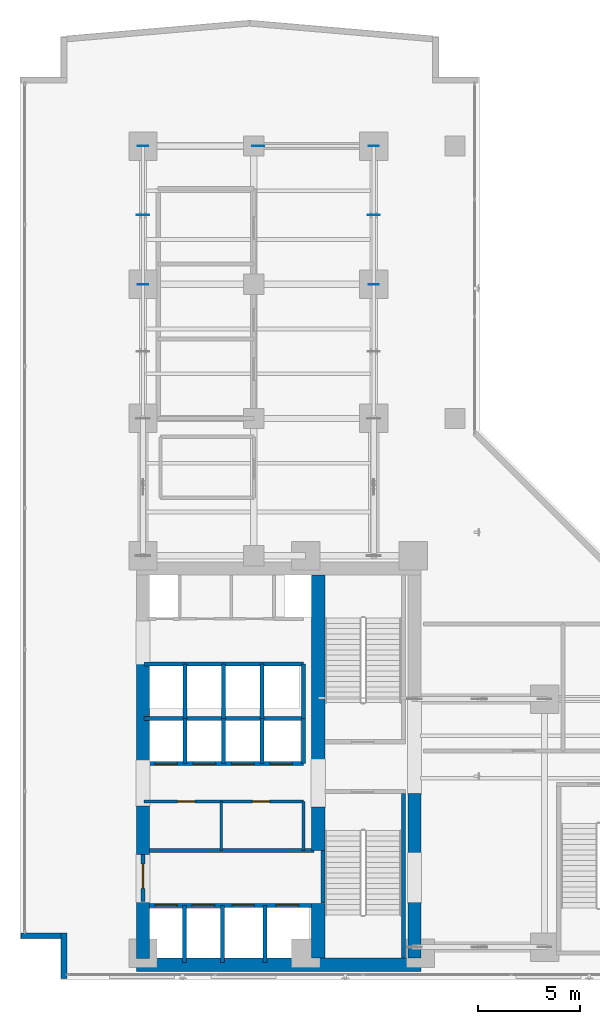
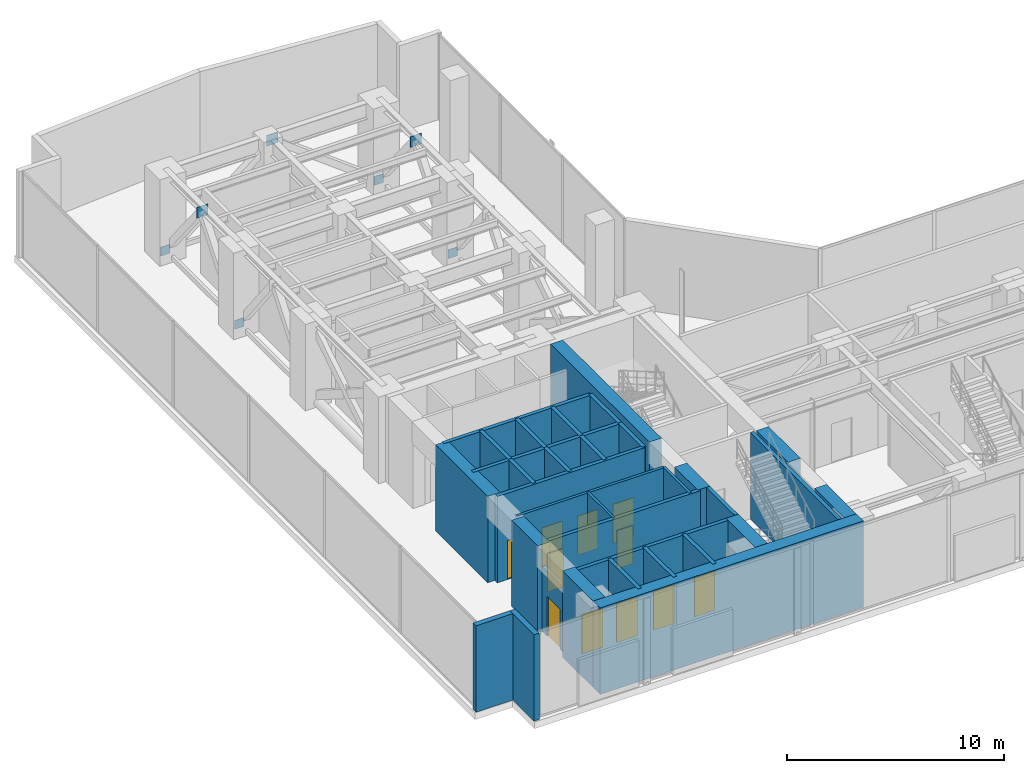
# One storey, part 31 of 37: 33 walls, 11 doors, 7 plates, 11 openings.
"""IFC4 building model written with IfcOpenShell, lengths in metres."""

from ifc_helpers import new_model, si_unit, direction, frame, frame_2d, origin, origin_with_axes, origin_2d, place, context, subcontext, project, spatial, rectangle, extrude, source, transform, mapped, material, layer, layer_set, type_object, element, fill, save


model = new_model("IFC4")

# Units and contexts
model_context = context("Model", 3, precision=1e-05, world=origin(), true_north=direction((0.0, 1.0)))
body_context = subcontext(model_context, "Body", "Model", "MODEL_VIEW")
ifc_project = project(units=[si_unit("LENGTHUNIT", "METRE"), si_unit("AREAUNIT", "SQUARE_METRE"), si_unit("VOLUMEUNIT", "CUBIC_METRE"), si_unit("PLANEANGLEUNIT", "RADIAN"), si_unit("MASSUNIT", "GRAM", prefix="KILO")], contexts=[model_context])

# Site, building, storey
site_placement = place(None, origin())
site = spatial("IfcSite", under=ifc_project, at=site_placement, CompositionType="ELEMENT")
building_placement = place(site_placement, origin())
building = spatial("IfcBuilding", under=site, at=building_placement, Name="Kolvaren Waterfront Exchange", CompositionType="ELEMENT")
storey_placement = place(building_placement, frame((0.0, 0.0, 141.10009765625)))
storey = spatial("IfcBuildingStorey", under=building, at=storey_placement, Name="L36", CompositionType="ELEMENT", Elevation=141.10009765625)

# Plates
ifc_material_1 = material(Name="Steel S460", Category="steel")
ifc_layer_1 = layer(ifc_material_1, 0.030029296875, Name="Steel S460")
ifc_layer_set_1 = layer_set([ifc_layer_1], Name="Steel S460")
plate_type_1 = type_object("IfcPlateType", Name="STR-PL-BN1", PredefinedType="SHEET", material=ifc_layer_set_1)
shared_shape_1 = source(origin_with_axes(), body_context, "Body", "SweptSolid", [
    extrude(rectangle(XDim=0.60009765625, YDim=0.030029296875, at=origin_2d()), origin(), (0.0, 0.0, 1.0), 0.60009765625),
])
for number, where, z_axis, x_axis, name in (
    (1, (7.449951171875, 41.199951171875, 4.2099609375), (0.0, 0.0, 1.0), (1.0, 0.0, 0.0), "L36 belt-truss chevron apex gusset BT5"),
    (2, (18.800048828125, 41.199951171875, 4.2099609375), (0.0, 0.0, 1.0), (1.0, 0.0, 0.0), "L36 belt-truss chevron apex gusset BT7"),
    (3, (13.125, 44.60009765625, 4.2099609375), (0.0, 0.0, 1.0), (1.0, 0.0, 0.0), "L36 belt-truss chevron apex gusset BT8"),
):
    element("IfcPlate", number, at=place(storey_placement, frame(where, z_axis=z_axis, x_axis=x_axis)), inside=storey, type_object=plate_type_1, Name=name, PredefinedType="SHEET", context=body_context, shape_type="MappedRepresentation", body=[
        mapped(shared_shape_1, transform((0.0, 0.0, 0.0), x_axis=(1.0, 0.0, 0.0), y_axis=(0.0, 1.0, 0.0), z_axis=(0.0, 0.0, 1.0), scale=1.0)),
    ])
ifc_material_2 = material(Name="Steel S355", Category="steel")
ifc_layer_2 = layer(ifc_material_2, 0.02490234375, Name="Steel S355")
ifc_layer_set_2 = layer_set([ifc_layer_2], Name="Steel S355")
plate_type_2 = type_object("IfcPlateType", Name="STR-PL-BN2", PredefinedType="SHEET", material=ifc_layer_set_2)
shared_shape_2 = source(origin_with_axes(), body_context, "Body", "SweptSolid", [
    extrude(rectangle(XDim=0.5, YDim=0.02490234375, at=origin_2d()), origin(), (0.0, 0.0, 1.0), 0.5),
])
for number, where, z_axis, x_axis, name in (
    (4, (7.449951171875, 37.800048828125, 0.0), (0.0, 0.0, 1.0), (1.0, 0.0, 0.0), "L36 belt-truss end cap plate BT4.2"),
    (5, (7.449951171875, 44.60009765625, 0.0), (0.0, 0.0, 1.0), (1.0, 0.0, 0.0), "L36 belt-truss end cap plate BT5.2"),
    (6, (18.800048828125, 37.800048828125, 0.0), (0.0, 0.0, 1.0), (1.0, 0.0, 0.0), "L36 belt-truss end cap plate BT6.2"),
    (7, (18.800048828125, 44.60009765625, 0.0), (0.0, 0.0, 1.0), (1.0, 0.0, 0.0), "L36 belt-truss end cap plate BT7.2"),
):
    element("IfcPlate", number, at=place(storey_placement, frame(where, z_axis=z_axis, x_axis=x_axis)), inside=storey, type_object=plate_type_2, Name=name, PredefinedType="SHEET", context=body_context, shape_type="MappedRepresentation", body=[
        mapped(shared_shape_2, transform((0.0, 0.0, 0.0), x_axis=(1.0, 0.0, 0.0), y_axis=(0.0, 1.0, 0.0), z_axis=(0.0, 0.0, 1.0), scale=1.0)),
    ])

# Walls
ifc_material_3 = material(Name="Precast concrete C40/50", Category="concrete")
ifc_layer_3 = layer(ifc_material_3, 0.280029296875, Name="Precast concrete C40/50")
ifc_layer_set_3 = layer_set([ifc_layer_3], Name="Precast concrete C40/50")
wall_type_1 = type_object("IfcWallType", Name="ARC-EXT-TERR-280", PredefinedType="SOLIDWALL", material=ifc_layer_set_3)
wall_1_placement = place(storey_placement, frame((3.56005859375, 3.659912109375, 0.0), z_axis=(0.0, 0.0, 1.0), x_axis=(0.0, 1.0, 0.0)))
element("IfcWall", 8, at=wall_1_placement, inside=storey, type_object=wall_type_1, Name="L36 notched corner spandrel pier SW-A", PredefinedType="SOLIDWALL", context=body_context, shape_type="SweptSolid", body=[
    extrude(rectangle(XDim=2.239990234375, YDim=0.280029296875, at=frame_2d((1.1201171875, 0.0))), origin(), (0.0, 0.0, 1.0), 4.85986328125),
])
wall_2_placement = place(storey_placement, frame((1.4599609375, 5.760009765625, 0.0), z_axis=(0.0, 0.0, 1.0), x_axis=(1.0, 0.0, 0.0)))
element("IfcWall", 9, at=wall_2_placement, inside=storey, type_object=wall_type_1, Name="L36 notched corner spandrel pier SW-B", PredefinedType="SOLIDWALL", context=body_context, shape_type="SweptSolid", body=[
    extrude(rectangle(XDim=1.9599609375, YDim=0.280029296875, at=frame_2d((0.97998046875, 0.0))), origin(), (0.0, 0.0, 1.0), 4.85986328125),
])
ifc_layer_4 = layer(ifc_material_3, 0.199951171875, Name="Precast concrete C40/50")
ifc_layer_set_4 = layer_set([ifc_layer_4], Name="Precast concrete C40/50")
wall_type_2 = type_object("IfcWallType", Name="ARC-FIRE-200", PredefinedType="PARTITIONING", material=ifc_layer_set_4)
wall_3_placement = place(storey_placement, frame((7.5, 9.949951171875, 0.0), z_axis=(0.0, 0.0, 1.0), x_axis=(1.0, 0.0, 0.0)))
element("IfcWall", 10, at=wall_3_placement, inside=storey, type_object=wall_type_2, Name="L36 interior wall PW-L36-FF-N", PredefinedType="PARTITIONING", context=body_context, shape_type="SweptSolid", body=[
    extrude(rectangle(XDim=8.35009765625, YDim=0.199951171875, at=frame_2d((4.175048828125, 0.0))), origin(), (0.0, 0.0, 1.0), 4.85986328125),
])

# Wall, opening, door
wall_4_placement = place(storey_placement, frame((7.449951171875, 7.449951171875, 0.0), z_axis=(0.0, 0.0, 1.0), x_axis=(0.0, 1.0, 0.0)))
wall_4 = element("IfcWall", 11, at=wall_4_placement, inside=storey, type_object=wall_type_2, Name="L36 interior wall PW-L36-FF-W-DOOR", PredefinedType="PARTITIONING", context=body_context, shape_type="SweptSolid", body=[
    extrude(rectangle(XDim=2.300048828125, YDim=0.199951171875, at=frame_2d((1.14990234375, 0.0))), origin(), (0.0, 0.0, 1.0), 3.639892578125),
])
opening_1_placement = place(wall_4_placement, frame((0.63330078125, 0.0, 0.0)))
opening_1 = element("IfcOpeningElement", 12, at=opening_1_placement, cuts=wall_4, Name="Opening FD3", PredefinedType="OPENING", context=body_context, shape_type="SweptSolid", body=[
    extrude(rectangle(XDim=1.199951171875, YDim=2.25, at=frame_2d((0.60009765625, 1.125))), frame((0.0, 0.10986328125, 0.0), z_axis=(0.0, -1.0, 0.0), x_axis=(1.0, 0.0, 0.0)), (0.0, 0.0, 1.0), 0.219970703125),
])
ifc_material_4 = material(Name="Pressed steel fire door", Category="steel")
door_type_1 = type_object("IfcDoorType", Name="ARC-FD-1200", OperationType="NOTDEFINED", PredefinedType="DOOR", material=ifc_material_4)
door_1_placement = place(opening_1_placement, frame((1.199951171875, 0.0, 0.0), z_axis=(0.0, 0.0, 1.0), x_axis=(-1.0, 0.0, 0.0)))
door_1 = element("IfcDoor", 13, at=door_1_placement, inside=storey, type_object=door_type_1, Name="L36 door DR-L36-FF-OUT (FD3)", OperationType="SINGLE_SWING_RIGHT", OverallHeight=2.25, OverallWidth=1.199951171875, PredefinedType="DOOR", context=body_context, shape_type="SweptSolid", body=[
    extrude(rectangle(XDim=1.199951171875, YDim=2.25, at=frame_2d((0.60009765625, 1.125))), frame((0.0, 0.02490234375, 0.0), z_axis=(0.0, -1.0, 0.0), x_axis=(1.0, 0.0, 0.0)), (0.0, 0.0, 1.0), 0.050048828125),
])
fill(opening_1, door_1)

# Wall
ifc_material_5 = material(Name="Acoustic gypsum steel stud", Category="steel")
ifc_layer_5 = layer(ifc_material_5, 0.125, Name="Acoustic gypsum steel stud")
ifc_layer_set_5 = layer_set([ifc_layer_5], Name="Acoustic gypsum steel stud")
wall_type_3 = type_object("IfcWallType", Name="ARC-PART-125", PredefinedType="PARTITIONING", material=ifc_layer_set_5)
wall_5_placement = place(storey_placement, frame((11.300048828125, 9.949951171875, 0.0), z_axis=(0.0, 0.0, 1.0), x_axis=(0.0, 1.0, 0.0)))
element("IfcWall", 14, at=wall_5_placement, inside=storey, type_object=wall_type_3, Name="L36 interior wall PW-L36-REC-PL-MID", PredefinedType="PARTITIONING", context=body_context, shape_type="SweptSolid", body=[
    extrude(rectangle(XDim=2.41015625, YDim=0.125, at=frame_2d((1.205078125, 0.0))), origin(), (0.0, 0.0, 1.0), 4.85986328125),
])

# Wall, openings, doors
ifc_material_6 = material(Name="Gypsum fireboard steel stud", Category="steel")
ifc_layer_6 = layer(ifc_material_6, 0.14990234375, Name="Gypsum fireboard steel stud")
ifc_layer_set_6 = layer_set([ifc_layer_6], Name="Gypsum fireboard steel stud")
wall_type_4 = type_object("IfcWallType", Name="ARC-PART-150", PredefinedType="PARTITIONING", material=ifc_layer_set_6)
wall_6_placement = place(storey_placement, frame((7.5, 12.360107421875, 0.0), z_axis=(0.0, 0.0, 1.0), x_axis=(1.0, 0.0, 0.0)))
wall_6 = element("IfcWall", 15, at=wall_6_placement, inside=storey, type_object=wall_type_4, Name="L36 interior wall PW-L36-REC-PL-N", PredefinedType="PARTITIONING", context=body_context, shape_type="SweptSolid", body=[
    extrude(rectangle(XDim=7.85009765625, YDim=0.14990234375, at=frame_2d((3.925048828125, 0.0))), origin(), (0.0, 0.0, 1.0), 4.85986328125),
])
opening_2_placement = place(wall_6_placement, frame((1.64990234375, 0.0, 0.0)))
opening_2 = element("IfcOpeningElement", 16, at=opening_2_placement, cuts=wall_6, Name="Opening D01", PredefinedType="OPENING", context=body_context, shape_type="SweptSolid", body=[
    extrude(rectangle(XDim=0.85009765625, YDim=2.14990234375, at=frame_2d((0.425048828125, 1.074951171875))), frame((0.0, 0.0849609375, 0.0), z_axis=(0.0, -1.0, 0.0), x_axis=(1.0, 0.0, 0.0)), (0.0, 0.0, 1.0), 0.169921875),
])
opening_3_placement = place(wall_6_placement, frame((5.329345703125, 0.0, 0.0)))
opening_3 = element("IfcOpeningElement", 17, at=opening_3_placement, cuts=wall_6, Name="Opening D01", PredefinedType="OPENING", context=body_context, shape_type="SweptSolid", body=[
    extrude(rectangle(XDim=0.85009765625, YDim=2.14990234375, at=frame_2d((0.425048828125, 1.074951171875))), frame((0.0, 0.0849609375, 0.0), z_axis=(0.0, -1.0, 0.0), x_axis=(1.0, 0.0, 0.0)), (0.0, 0.0, 1.0), 0.169921875),
])
ifc_material_7 = material(Name="Oak veneer timber leaf", Category="wood")
door_type_2 = type_object("IfcDoorType", Name="ARC-DR-900", OperationType="NOTDEFINED", PredefinedType="DOOR", material=ifc_material_7)
door_2_placement = place(opening_2_placement, origin())
door_2 = element("IfcDoor", 18, at=door_2_placement, inside=storey, type_object=door_type_2, Name="L36 door DR-L36-REC-PL-D1 (D01)", OperationType="SINGLE_SWING_LEFT", OverallHeight=2.14990234375, OverallWidth=0.85009765625, PredefinedType="DOOR", context=body_context, shape_type="SweptSolid", body=[
    extrude(rectangle(XDim=0.85009765625, YDim=2.14990234375, at=frame_2d((0.425048828125, 1.074951171875))), frame((0.0, 0.02490234375, 0.0), z_axis=(0.0, -1.0, 0.0), x_axis=(1.0, 0.0, 0.0)), (0.0, 0.0, 1.0), 0.050048828125),
])
fill(opening_2, door_2)
door_3_placement = place(opening_3_placement, origin())
door_3 = element("IfcDoor", 19, at=door_3_placement, inside=storey, type_object=door_type_2, Name="L36 door DR-L36-REC-PL-D2 (D01)", OperationType="SINGLE_SWING_RIGHT", OverallHeight=2.14990234375, OverallWidth=0.85009765625, PredefinedType="DOOR", context=body_context, shape_type="SweptSolid", body=[
    extrude(rectangle(XDim=0.85009765625, YDim=2.14990234375, at=frame_2d((0.425048828125, 1.074951171875))), frame((0.0, 0.02490234375, 0.0), z_axis=(0.0, -1.0, 0.0), x_axis=(1.0, 0.0, 0.0)), (0.0, 0.0, 1.0), 0.050048828125),
])
fill(opening_3, door_3)

# Walls
wall_7_placement = place(storey_placement, frame((15.35009765625, 9.949951171875, 0.0), z_axis=(0.0, 0.0, 1.0), x_axis=(0.0, 1.0, 0.0)))
element("IfcWall", 20, at=wall_7_placement, inside=storey, type_object=wall_type_4, Name="L36 interior wall PW-L36-REC-PL-E", PredefinedType="PARTITIONING", context=body_context, shape_type="SweptSolid", body=[
    extrude(rectangle(XDim=2.41015625, YDim=0.14990234375, at=frame_2d((1.205078125, 0.0))), origin(), (0.0, 0.0, 1.0), 4.85986328125),
])
ifc_material_8 = material(Name="Concrete C40/50", Category="concrete")
ifc_layer_7 = layer(ifc_material_8, 0.199951171875, Name="Concrete C40/50")
ifc_layer_set_7 = layer_set([ifc_layer_7], Name="Concrete C40/50")
wall_type_5 = type_object("IfcWallType", Name="ARC-SHAFT-200", PredefinedType="PARTITIONING", material=ifc_layer_set_7)
wall_8_placement = place(storey_placement, frame((16.300048828125, 7.360107421875, 0.0), z_axis=(0.0, 0.0, 1.0), x_axis=(0.0, 1.0, 0.0)))
element("IfcWall", 21, at=wall_8_placement, inside=storey, type_object=wall_type_5, Name="L36 structural stairwell wall PW-L36-ST1-W", PredefinedType="SHEAR", context=body_context, shape_type="SweptSolid", body=[
    extrude(rectangle(XDim=2.579833984375, YDim=0.199951171875, at=frame_2d((1.2900390625, 0.0))), origin(), (0.0, 0.0, 1.0), 4.85986328125),
])
wall_9_placement = place(storey_placement, frame((20.260009765625, 4.659912109375, 0.0), z_axis=(0.0, 0.0, 1.0), x_axis=(0.0, 1.0, 0.0)))
element("IfcWall", 22, at=wall_9_placement, inside=storey, type_object=wall_type_5, Name="L36 structural stairwell wall PW-L36-ST1-E", PredefinedType="SHEAR", context=body_context, shape_type="SweptSolid", body=[
    extrude(rectangle(XDim=8.090087890625, YDim=0.199951171875, at=frame_2d((4.044921875, 0.0))), origin(), (0.0, 0.0, 1.0), 4.85986328125),
])

# Wall, openings, doors
wall_10_placement = place(storey_placement, frame((7.5, 7.25, 0.0), z_axis=(0.0, 0.0, 1.0), x_axis=(1.0, 0.0, 0.0)))
wall_10 = element("IfcWall", 23, at=wall_10_placement, inside=storey, type_object=wall_type_5, Name="L36 interior wall PW-L36-FF-S", PredefinedType="PARTITIONING", context=body_context, shape_type="SweptSolid", body=[
    extrude(rectangle(XDim=8.35009765625, YDim=0.199951171875, at=frame_2d((4.175048828125, 0.0))), origin(), (0.0, 0.0, 1.0), 4.85986328125),
])
opening_4_placement = place(wall_10_placement, frame((0.530029296875, 0.0, 0.0)))
opening_4 = element("IfcOpeningElement", 24, at=opening_4_placement, cuts=wall_10, Name="Opening LD1", PredefinedType="OPENING", context=body_context, shape_type="SweptSolid", body=[
    extrude(rectangle(XDim=1.10009765625, YDim=2.199951171875, at=frame_2d((0.550048828125, 1.10009765625))), frame((0.0, 0.10986328125, 0.0), z_axis=(0.0, -1.0, 0.0), x_axis=(1.0, 0.0, 0.0)), (0.0, 0.0, 1.0), 0.219970703125),
])
opening_5_placement = place(wall_10_placement, frame((2.3701171875, 0.0, 0.0)))
opening_5 = element("IfcOpeningElement", 25, at=opening_5_placement, cuts=wall_10, Name="Opening LD1", PredefinedType="OPENING", context=body_context, shape_type="SweptSolid", body=[
    extrude(rectangle(XDim=1.10009765625, YDim=2.199951171875, at=frame_2d((0.550048828125, 1.10009765625))), frame((0.0, 0.10986328125, 0.0), z_axis=(0.0, -1.0, 0.0), x_axis=(1.0, 0.0, 0.0)), (0.0, 0.0, 1.0), 0.219970703125),
])
opening_6_placement = place(wall_10_placement, frame((4.330078125, 0.0, 0.0)))
opening_6 = element("IfcOpeningElement", 26, at=opening_6_placement, cuts=wall_10, Name="Opening LD1", PredefinedType="OPENING", context=body_context, shape_type="SweptSolid", body=[
    extrude(rectangle(XDim=1.10009765625, YDim=2.199951171875, at=frame_2d((0.550048828125, 1.10009765625))), frame((0.0, 0.10986328125, 0.0), z_axis=(0.0, -1.0, 0.0), x_axis=(1.0, 0.0, 0.0)), (0.0, 0.0, 1.0), 0.219970703125),
])
opening_7_placement = place(wall_10_placement, frame((6.5, 0.0, 0.0)))
opening_7 = element("IfcOpeningElement", 27, at=opening_7_placement, cuts=wall_10, Name="Opening LD1", PredefinedType="OPENING", context=body_context, shape_type="SweptSolid", body=[
    extrude(rectangle(XDim=1.10009765625, YDim=2.199951171875, at=frame_2d((0.550048828125, 1.10009765625))), frame((0.0, 0.10986328125, 0.0), z_axis=(0.0, -1.0, 0.0), x_axis=(1.0, 0.0, 0.0)), (0.0, 0.0, 1.0), 0.219970703125),
])
ifc_material_9 = material(Name="Stainless steel sliding landing door", Category="steel")
door_type_3 = type_object("IfcDoorType", Name="ARC-LD-FF", OperationType="SLIDING_TO_LEFT", PredefinedType="DOOR", material=ifc_material_9)
door_4_placement = place(opening_4_placement, origin())
door_4 = element("IfcDoor", 28, at=door_4_placement, inside=storey, type_object=door_type_3, Name="L36 door LD-L36-FFL1 (LD1)", OperationType="SLIDING_TO_LEFT", OverallHeight=2.199951171875, OverallWidth=1.10009765625, PredefinedType="DOOR", context=body_context, shape_type="SweptSolid", body=[
    extrude(rectangle(XDim=1.10009765625, YDim=2.199951171875, at=frame_2d((0.550048828125, 1.10009765625))), frame((0.0, 0.02490234375, 0.0), z_axis=(0.0, -1.0, 0.0), x_axis=(1.0, 0.0, 0.0)), (0.0, 0.0, 1.0), 0.050048828125),
])
fill(opening_4, door_4)
door_5_placement = place(opening_5_placement, origin())
door_5 = element("IfcDoor", 29, at=door_5_placement, inside=storey, type_object=door_type_3, Name="L36 door LD-L36-FFL2 (LD1)", OperationType="SLIDING_TO_LEFT", OverallHeight=2.199951171875, OverallWidth=1.10009765625, PredefinedType="DOOR", context=body_context, shape_type="SweptSolid", body=[
    extrude(rectangle(XDim=1.10009765625, YDim=2.199951171875, at=frame_2d((0.550048828125, 1.10009765625))), frame((0.0, 0.02490234375, 0.0), z_axis=(0.0, -1.0, 0.0), x_axis=(1.0, 0.0, 0.0)), (0.0, 0.0, 1.0), 0.050048828125),
])
fill(opening_5, door_5)
door_6_placement = place(opening_6_placement, origin())
door_6 = element("IfcDoor", 30, at=door_6_placement, inside=storey, type_object=door_type_3, Name="L36 door LD-L36-GL1 (LD1)", OperationType="SLIDING_TO_LEFT", OverallHeight=2.199951171875, OverallWidth=1.10009765625, PredefinedType="DOOR", context=body_context, shape_type="SweptSolid", body=[
    extrude(rectangle(XDim=1.10009765625, YDim=2.199951171875, at=frame_2d((0.550048828125, 1.10009765625))), frame((0.0, 0.02490234375, 0.0), z_axis=(0.0, -1.0, 0.0), x_axis=(1.0, 0.0, 0.0)), (0.0, 0.0, 1.0), 0.050048828125),
])
fill(opening_6, door_6)
door_7_placement = place(opening_7_placement, origin())
door_7 = element("IfcDoor", 31, at=door_7_placement, inside=storey, type_object=door_type_3, Name="L36 door LD-L36-GL2 (LD1)", OperationType="SLIDING_TO_LEFT", OverallHeight=2.199951171875, OverallWidth=1.10009765625, PredefinedType="DOOR", context=body_context, shape_type="SweptSolid", body=[
    extrude(rectangle(XDim=1.10009765625, YDim=2.199951171875, at=frame_2d((0.550048828125, 1.10009765625))), frame((0.0, 0.02490234375, 0.0), z_axis=(0.0, -1.0, 0.0), x_axis=(1.0, 0.0, 0.0)), (0.0, 0.0, 1.0), 0.050048828125),
])
fill(opening_7, door_7)

# Walls
for number, where, z_axis, x_axis, name in (
    (32, (9.5, 4.449951171875, 0.0), (0.0, 0.0, 1.0), (0.0, 1.0, 0.0), "L36 interior wall PW-L36-SH1-DIV-95"),
    (33, (11.360107421875, 4.449951171875, 0.0), (0.0, 0.0, 1.0), (0.0, 1.0, 0.0), "L36 interior wall PW-L36-SH1-DIV-113"),
    (34, (13.4599609375, 4.449951171875, 0.0), (0.0, 0.0, 1.0), (0.0, 1.0, 0.0), "L36 interior wall PW-L36-SH1-DIV-134"),
):
    element("IfcWall", number, at=place(storey_placement, frame(where, z_axis=z_axis, x_axis=x_axis)), inside=storey, type_object=wall_type_5, Name=name, PredefinedType="PARTITIONING", context=body_context, shape_type="SweptSolid", body=[
        extrude(rectangle(XDim=2.800048828125, YDim=0.199951171875, at=frame_2d((1.39990234375, 0.0))), origin(), (0.0, 0.0, 1.0), 4.85986328125),
    ])

# Wall, openings, doors
wall_11_placement = place(storey_placement, frame((7.5, 14.219970703125, 0.0), z_axis=(0.0, 0.0, 1.0), x_axis=(1.0, 0.0, 0.0)))
wall_11 = element("IfcWall", 35, at=wall_11_placement, inside=storey, type_object=wall_type_5, Name="L36 interior wall PW-L36-PM-S", PredefinedType="PARTITIONING", context=body_context, shape_type="SweptSolid", body=[
    extrude(rectangle(XDim=7.85009765625, YDim=0.199951171875, at=frame_2d((3.925048828125, 0.0))), origin(), (0.0, 0.0, 1.0), 4.85986328125),
])
opening_8_placement = place(wall_11_placement, frame((0.530029296875, 0.0, 0.0)))
opening_8 = element("IfcOpeningElement", 36, at=opening_8_placement, cuts=wall_11, Name="Opening LD2", PredefinedType="OPENING", context=body_context, shape_type="SweptSolid", body=[
    extrude(rectangle(XDim=1.10009765625, YDim=2.199951171875, at=frame_2d((0.550048828125, 1.10009765625))), frame((0.0, 0.10986328125, 0.0), z_axis=(0.0, -1.0, 0.0), x_axis=(1.0, 0.0, 0.0)), (0.0, 0.0, 1.0), 0.219970703125),
])
opening_9_placement = place(wall_11_placement, frame((2.419921875, 0.0, 0.0)))
opening_9 = element("IfcOpeningElement", 37, at=opening_9_placement, cuts=wall_11, Name="Opening LD2", PredefinedType="OPENING", context=body_context, shape_type="SweptSolid", body=[
    extrude(rectangle(XDim=1.10009765625, YDim=2.199951171875, at=frame_2d((0.550048828125, 1.10009765625))), frame((0.0, 0.10986328125, 0.0), z_axis=(0.0, -1.0, 0.0), x_axis=(1.0, 0.0, 0.0)), (0.0, 0.0, 1.0), 0.219970703125),
])
opening_10_placement = place(wall_11_placement, frame((4.31005859375, 0.0, 0.0)))
opening_10 = element("IfcOpeningElement", 38, at=opening_10_placement, cuts=wall_11, Name="Opening LD2", PredefinedType="OPENING", context=body_context, shape_type="SweptSolid", body=[
    extrude(rectangle(XDim=1.10009765625, YDim=2.199951171875, at=frame_2d((0.550048828125, 1.10009765625))), frame((0.0, 0.10986328125, 0.0), z_axis=(0.0, -1.0, 0.0), x_axis=(1.0, 0.0, 0.0)), (0.0, 0.0, 1.0), 0.219970703125),
])
opening_11_placement = place(wall_11_placement, frame((6.199951171875, 0.0, 0.0)))
opening_11 = element("IfcOpeningElement", 39, at=opening_11_placement, cuts=wall_11, Name="Opening LD2", PredefinedType="OPENING", context=body_context, shape_type="SweptSolid", body=[
    extrude(rectangle(XDim=1.10009765625, YDim=2.199951171875, at=frame_2d((0.550048828125, 1.10009765625))), frame((0.0, 0.10986328125, 0.0), z_axis=(0.0, -1.0, 0.0), x_axis=(1.0, 0.0, 0.0)), (0.0, 0.0, 1.0), 0.219970703125),
])
ifc_material_10 = material(Name="Brushed bronze sliding landing door", Category="aluminium")
door_type_4 = type_object("IfcDoorType", Name="ARC-LD-PAX", OperationType="SLIDING_TO_LEFT", PredefinedType="DOOR", material=ifc_material_10)
door_8_placement = place(opening_8_placement, frame((1.10009765625, 0.0, 0.0), z_axis=(0.0, 0.0, 1.0), x_axis=(-1.0, 0.0, 0.0)))
door_8 = element("IfcDoor", 40, at=door_8_placement, inside=storey, type_object=door_type_4, Name="L36 door LD-L36-PM1 (LD2)", OperationType="SLIDING_TO_LEFT", OverallHeight=2.199951171875, OverallWidth=1.10009765625, PredefinedType="DOOR", context=body_context, shape_type="SweptSolid", body=[
    extrude(rectangle(XDim=1.10009765625, YDim=2.199951171875, at=frame_2d((0.550048828125, 1.10009765625))), frame((0.0, 0.02490234375, 0.0), z_axis=(0.0, -1.0, 0.0), x_axis=(1.0, 0.0, 0.0)), (0.0, 0.0, 1.0), 0.050048828125),
])
fill(opening_8, door_8)
door_9_placement = place(opening_9_placement, frame((1.10009765625, 0.0, 0.0), z_axis=(0.0, 0.0, 1.0), x_axis=(-1.0, 0.0, 0.0)))
door_9 = element("IfcDoor", 41, at=door_9_placement, inside=storey, type_object=door_type_4, Name="L36 door LD-L36-PM2 (LD2)", OperationType="SLIDING_TO_LEFT", OverallHeight=2.199951171875, OverallWidth=1.10009765625, PredefinedType="DOOR", context=body_context, shape_type="SweptSolid", body=[
    extrude(rectangle(XDim=1.10009765625, YDim=2.199951171875, at=frame_2d((0.550048828125, 1.10009765625))), frame((0.0, 0.02490234375, 0.0), z_axis=(0.0, -1.0, 0.0), x_axis=(1.0, 0.0, 0.0)), (0.0, 0.0, 1.0), 0.050048828125),
])
fill(opening_9, door_9)
door_10_placement = place(opening_10_placement, frame((1.10009765625, 0.0, 0.0), z_axis=(0.0, 0.0, 1.0), x_axis=(-1.0, 0.0, 0.0)))
door_10 = element("IfcDoor", 42, at=door_10_placement, inside=storey, type_object=door_type_4, Name="L36 door LD-L36-PM3 (LD2)", OperationType="SLIDING_TO_LEFT", OverallHeight=2.199951171875, OverallWidth=1.10009765625, PredefinedType="DOOR", context=body_context, shape_type="SweptSolid", body=[
    extrude(rectangle(XDim=1.10009765625, YDim=2.199951171875, at=frame_2d((0.550048828125, 1.10009765625))), frame((0.0, 0.02490234375, 0.0), z_axis=(0.0, -1.0, 0.0), x_axis=(1.0, 0.0, 0.0)), (0.0, 0.0, 1.0), 0.050048828125),
])
fill(opening_10, door_10)
door_11_placement = place(opening_11_placement, frame((1.10009765625, 0.0, 0.0), z_axis=(0.0, 0.0, 1.0), x_axis=(-1.0, 0.0, 0.0)))
door_11 = element("IfcDoor", 43, at=door_11_placement, inside=storey, type_object=door_type_4, Name="L36 door LD-L36-PM4 (LD2)", OperationType="SLIDING_TO_LEFT", OverallHeight=2.199951171875, OverallWidth=1.10009765625, PredefinedType="DOOR", context=body_context, shape_type="SweptSolid", body=[
    extrude(rectangle(XDim=1.10009765625, YDim=2.199951171875, at=frame_2d((0.550048828125, 1.10009765625))), frame((0.0, 0.02490234375, 0.0), z_axis=(0.0, -1.0, 0.0), x_axis=(1.0, 0.0, 0.0)), (0.0, 0.0, 1.0), 0.050048828125),
])
fill(opening_11, door_11)

# Walls
wall_12_placement = place(storey_placement, frame((7.5, 16.449951171875, 0.0), z_axis=(0.0, 0.0, 1.0), x_axis=(1.0, 0.0, 0.0)))
element("IfcWall", 44, at=wall_12_placement, inside=storey, type_object=wall_type_5, Name="L36 interior wall PW-L36-PM-N", PredefinedType="PARTITIONING", context=body_context, shape_type="SweptSolid", body=[
    extrude(rectangle(XDim=7.85009765625, YDim=0.199951171875, at=frame_2d((3.925048828125, 0.0))), origin(), (0.0, 0.0, 1.0), 4.85986328125),
])
for number, where, z_axis, x_axis, name in (
    (45, (15.35009765625, 14.219970703125, 0.0), (0.0, 0.0, 1.0), (0.0, 1.0, 0.0), "L36 interior wall PW-L36-PM-E"),
    (46, (9.52001953125, 14.219970703125, 0.0), (0.0, 0.0, 1.0), (0.0, 1.0, 0.0), "L36 interior wall PW-L36-SH3-DIV-95"),
    (47, (11.409912109375, 14.219970703125, 0.0), (0.0, 0.0, 1.0), (0.0, 1.0, 0.0), "L36 interior wall PW-L36-SH3-DIV-114"),
    (48, (13.300048828125, 14.219970703125, 0.0), (0.0, 0.0, 1.0), (0.0, 1.0, 0.0), "L36 interior wall PW-L36-SH3-DIV-133"),
):
    element("IfcWall", number, at=place(storey_placement, frame(where, z_axis=z_axis, x_axis=x_axis)), inside=storey, type_object=wall_type_5, Name=name, PredefinedType="PARTITIONING", context=body_context, shape_type="SweptSolid", body=[
        extrude(rectangle(XDim=2.22998046875, YDim=0.199951171875, at=frame_2d((1.114990234375, 0.0))), origin(), (0.0, 0.0, 1.0), 4.85986328125),
    ])
wall_13_placement = place(storey_placement, frame((7.5, 19.1201171875, 0.0), z_axis=(0.0, 0.0, 1.0), x_axis=(1.0, 0.0, 0.0)))
element("IfcWall", 49, at=wall_13_placement, inside=storey, type_object=wall_type_5, Name="L36 interior wall PW-L36-PH-N", PredefinedType="PARTITIONING", context=body_context, shape_type="SweptSolid", body=[
    extrude(rectangle(XDim=7.85009765625, YDim=0.199951171875, at=frame_2d((3.925048828125, 0.0))), origin(), (0.0, 0.0, 1.0), 4.85986328125),
])
for number, where, z_axis, x_axis, name in (
    (50, (15.35009765625, 16.449951171875, 0.0), (0.0, 0.0, 1.0), (0.0, 1.0, 0.0), "L36 interior wall PW-L36-PH-E"),
    (51, (9.52001953125, 16.449951171875, 0.0), (0.0, 0.0, 1.0), (0.0, 1.0, 0.0), "L36 interior wall PW-L36-SH4-DIV-95"),
    (52, (11.409912109375, 16.449951171875, 0.0), (0.0, 0.0, 1.0), (0.0, 1.0, 0.0), "L36 interior wall PW-L36-SH4-DIV-114"),
    (53, (13.300048828125, 16.449951171875, 0.0), (0.0, 0.0, 1.0), (0.0, 1.0, 0.0), "L36 interior wall PW-L36-SH4-DIV-133"),
):
    element("IfcWall", number, at=place(storey_placement, frame(where, z_axis=z_axis, x_axis=x_axis)), inside=storey, type_object=wall_type_5, Name=name, PredefinedType="PARTITIONING", context=body_context, shape_type="SweptSolid", body=[
        extrude(rectangle(XDim=2.670166015625, YDim=0.199951171875, at=frame_2d((1.3349609375, 0.0))), origin(), (0.0, 0.0, 1.0), 4.85986328125),
    ])
ifc_material_11 = material(Name="Concrete C60/75", Category="concrete")
ifc_layer_8 = layer(ifc_material_11, 0.64990234375, Name="Concrete C60/75")
ifc_layer_set_8 = layer_set([ifc_layer_8], Name="Concrete C60/75")
wall_type_6 = type_object("IfcWallType", Name="STR-CWALL-650", PredefinedType="SHEAR", material=ifc_layer_set_8)
wall_14_placement = place(storey_placement, frame((7.125, 4.324951171875, 0.0), z_axis=(0.0, 0.0, 1.0), x_axis=(1.0, 0.0, 0.0)))
element("IfcWall", 54, at=wall_14_placement, inside=storey, type_object=wall_type_6, Name="L36 rear-core shear wall S", PredefinedType="SHEAR", context=body_context, shape_type="SweptSolid", body=[
    extrude(rectangle(XDim=14.0, YDim=0.64990234375, at=frame_2d((7.0, 0.0))), origin(), (0.0, 0.0, 1.0), 4.85986328125),
])
wall_15_placement = place(storey_placement, frame((7.449951171875, 4.64990234375, 0.0), z_axis=(0.0, 0.0, 1.0), x_axis=(0.0, 1.0, 0.0)))
element("IfcWall", 55, at=wall_15_placement, inside=storey, type_object=wall_type_6, Name="L36 rear-core shear wall W1", PredefinedType="SHEAR", context=body_context, shape_type="SweptSolid", body=[
    extrude(rectangle(XDim=2.800048828125, YDim=0.64990234375, at=frame_2d((1.39990234375, 0.0))), origin(), (0.0, 0.0, 1.0), 4.85986328125),
])
wall_16_placement = place(storey_placement, frame((7.449951171875, 9.75, 0.0), z_axis=(0.0, 0.0, 1.0), x_axis=(0.0, 1.0, 0.0)))
element("IfcWall", 56, at=wall_16_placement, inside=storey, type_object=wall_type_6, Name="L36 rear-core shear wall W2A", PredefinedType="SHEAR", context=body_context, shape_type="SweptSolid", body=[
    extrude(rectangle(XDim=2.39990234375, YDim=0.64990234375, at=frame_2d((1.199951171875, 0.0))), origin(), (0.0, 0.0, 1.0), 4.85986328125),
])
wall_17_placement = place(storey_placement, frame((7.449951171875, 14.35009765625, 0.0), z_axis=(0.0, 0.0, 1.0), x_axis=(0.0, 1.0, 0.0)))
element("IfcWall", 57, at=wall_17_placement, inside=storey, type_object=wall_type_6, Name="L36 rear-core shear wall W2B", PredefinedType="SHEAR", context=body_context, shape_type="SweptSolid", body=[
    extrude(rectangle(XDim=4.809814453125, YDim=0.64990234375, at=frame_2d((2.40478515625, 0.0))), origin(), (0.0, 0.0, 1.0), 4.85986328125),
])
wall_18_placement = place(storey_placement, frame((20.800048828125, 4.64990234375, 0.0), z_axis=(0.0, 0.0, 1.0), x_axis=(0.0, 1.0, 0.0)))
element("IfcWall", 58, at=wall_18_placement, inside=storey, type_object=wall_type_6, Name="L36 rear-core shear wall E1", PredefinedType="SHEAR", context=body_context, shape_type="SweptSolid", body=[
    extrude(rectangle(XDim=2.75, YDim=0.64990234375, at=frame_2d((1.375, 0.0))), origin(), (0.0, 0.0, 1.0), 4.85986328125),
])
wall_19_placement = place(storey_placement, frame((20.800048828125, 9.800048828125, 0.0), z_axis=(0.0, 0.0, 1.0), x_axis=(0.0, 1.0, 0.0)))
element("IfcWall", 59, at=wall_19_placement, inside=storey, type_object=wall_type_6, Name="L36 rear-core shear wall E2", PredefinedType="SHEAR", context=body_context, shape_type="SweptSolid", body=[
    extrude(rectangle(XDim=2.949951171875, YDim=0.64990234375, at=frame_2d((1.47509765625, 0.0))), origin(), (0.0, 0.0, 1.0), 4.85986328125),
])
wall_20_placement = place(storey_placement, frame((16.074951171875, 4.64990234375, 0.0), z_axis=(0.0, 0.0, 1.0), x_axis=(0.0, 1.0, 0.0)))
element("IfcWall", 60, at=wall_20_placement, inside=storey, type_object=wall_type_6, Name="L36 rear-core shear wall M1", PredefinedType="SHEAR", context=body_context, shape_type="SweptSolid", body=[
    extrude(rectangle(XDim=2.7001953125, YDim=0.64990234375, at=frame_2d((1.35009765625, 0.0))), origin(), (0.0, 0.0, 1.0), 4.85986328125),
])
wall_21_placement = place(storey_placement, frame((16.074951171875, 9.949951171875, 0.0), z_axis=(0.0, 0.0, 1.0), x_axis=(0.0, 1.0, 0.0)))
element("IfcWall", 61, at=wall_21_placement, inside=storey, type_object=wall_type_6, Name="L36 rear-core shear wall M2", PredefinedType="SHEAR", context=body_context, shape_type="SweptSolid", body=[
    extrude(rectangle(XDim=2.150146484375, YDim=0.64990234375, at=frame_2d((1.0751953125, 0.0))), origin(), (0.0, 0.0, 1.0), 4.85986328125),
])
wall_22_placement = place(storey_placement, frame((16.074951171875, 14.39990234375, 0.0), z_axis=(0.0, 0.0, 1.0), x_axis=(0.0, 1.0, 0.0)))
element("IfcWall", 62, at=wall_22_placement, inside=storey, type_object=wall_type_6, Name="L36 rear-core shear wall M3", PredefinedType="SHEAR", context=body_context, shape_type="SweptSolid", body=[
    extrude(rectangle(XDim=9.10009765625, YDim=0.64990234375, at=frame_2d((4.550048828125, 0.0))), origin(), (0.0, 0.0, 1.0), 4.85986328125),
])

save(model, "model.ifc")
